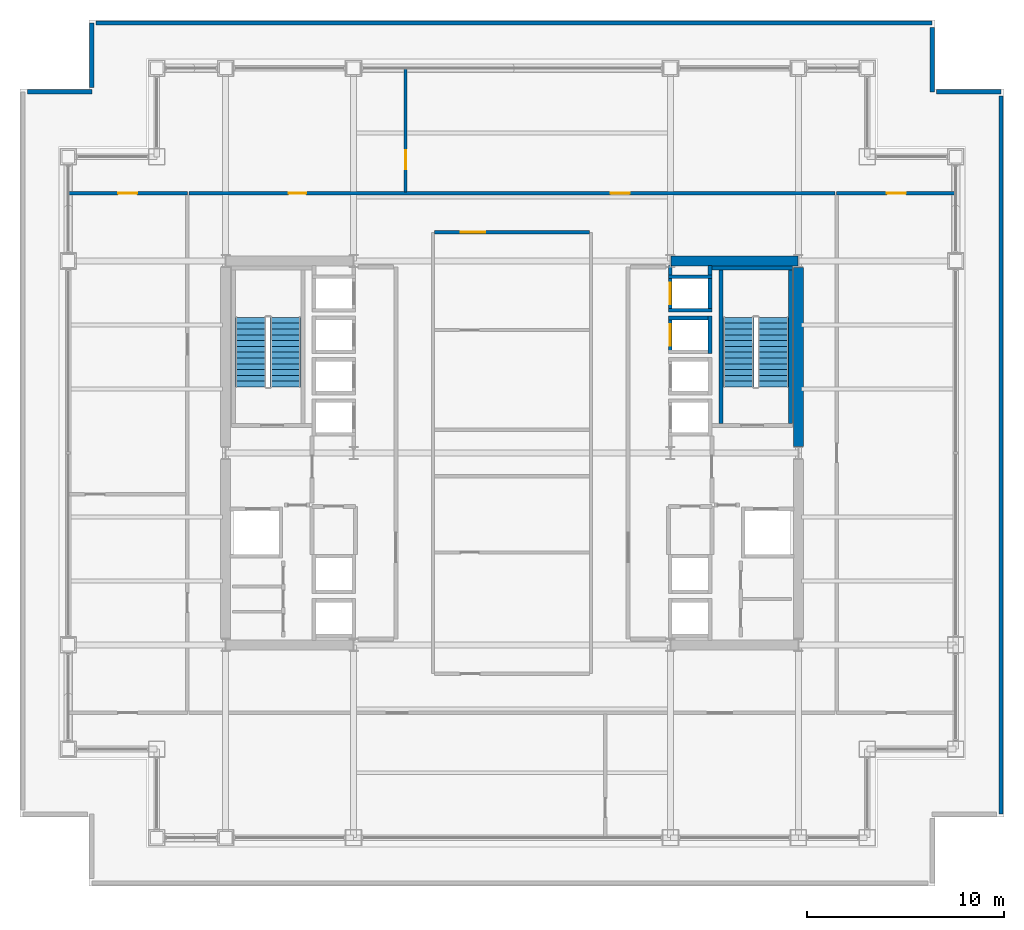
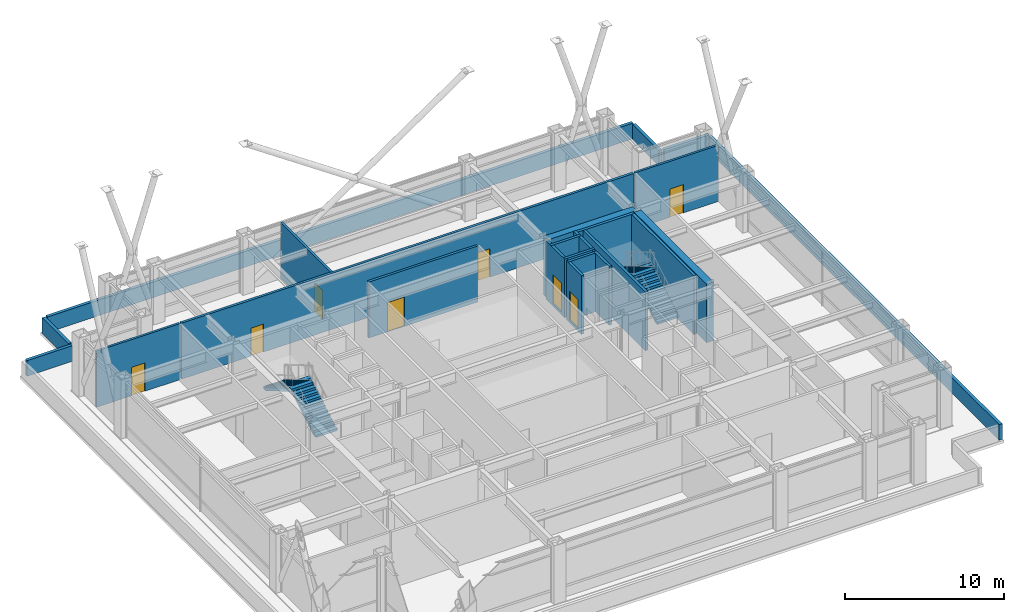
# One storey, part 31 of 32: 23 walls, 8 doors, 4 stair flights, 8 openings, 2 elements without a shape of their own.
"""IFC4 building model written with IfcOpenShell, lengths in metres."""

from ifc_helpers import new_model, si_unit, direction, frame, frame_2d, origin, place, context, subcontext, project, spatial, polyline, rectangle, outline, extrude, material, layer, layer_set, type_object, element, fill, aggregate, save


model = new_model("IFC4")

# Units and contexts
model_context = context("Model", 3, precision=1e-05, world=origin(), true_north=direction((0.0, 1.0)))
body_context = subcontext(model_context, "Body", "Model", "MODEL_VIEW")
ifc_project = project(units=[si_unit("LENGTHUNIT", "METRE"), si_unit("AREAUNIT", "SQUARE_METRE"), si_unit("VOLUMEUNIT", "CUBIC_METRE"), si_unit("PLANEANGLEUNIT", "RADIAN"), si_unit("MASSUNIT", "GRAM", prefix="KILO")], contexts=[model_context])

# Site, building, storey
site_placement = place(None, origin())
site = spatial("IfcSite", under=ifc_project, at=site_placement, CompositionType="ELEMENT")
building_placement = place(site_placement, origin())
building = spatial("IfcBuilding", under=site, at=building_placement, Name="Brelmoor Portico Tower", CompositionType="ELEMENT")
storey_placement = place(building_placement, frame((0.0, 0.0, 87.300048828125)))
storey = spatial("IfcBuildingStorey", under=building, at=storey_placement, Name="L22", CompositionType="ELEMENT", Elevation=87.300048828125)

# Walls
ifc_material_1 = material(Name="Concrete C60", Category="concrete")
ifc_layer_1 = layer(ifc_material_1, 0.5)
ifc_layer_set_1 = layer_set([ifc_layer_1], Name="Concrete C60")
wall_type_1 = type_object("IfcWallType", Name="WL-CORE-500", PredefinedType="SHEAR", material=ifc_layer_set_1)
wall_1_placement = place(storey_placement, frame((8.070068359375, 9.75, -0.199951171875), z_axis=(0.0, 0.0, 1.0), x_axis=(1.0, 0.0, 0.0)))
element("IfcWall", 1, at=wall_1_placement, inside=storey, type_object=wall_type_1, Name="L22 EC North Shear Wall", PredefinedType="SHEAR", context=body_context, shape_type="SweptSolid", body=[
    extrude(rectangle(XDim=6.4599609375, YDim=0.5, at=frame_2d((3.22998046875, 0.0))), origin(), (0.0, 0.0, 1.0), 4.5),
])
wall_2_placement = place(storey_placement, frame((14.550048828125, 0.324951171875, -0.199951171875), z_axis=(0.0, 0.0, 1.0), x_axis=(0.0, 1.0, 0.0)))
element("IfcWall", 2, at=wall_2_placement, inside=storey, type_object=wall_type_1, Name="L22 EC Outer North Shear Wall", PredefinedType="SHEAR", context=body_context, shape_type="SweptSolid", body=[
    extrude(rectangle(XDim=9.10009765625, YDim=0.5, at=frame_2d((4.550048828125, 0.0))), origin(), (0.0, 0.0, 1.0), 4.5),
])
ifc_material_2 = material(Name="Concrete C40 Parapet Upstand", Category="concrete")
ifc_layer_2 = layer(ifc_material_2, 0.219970703125)
ifc_layer_set_2 = layer_set([ifc_layer_2], Name="Concrete C40 Parapet Upstand")
wall_type_2 = type_object("IfcWallType", Name="WL-PARAPET-220", PredefinedType="PARAPET", material=ifc_layer_set_2)
wall_3_placement = place(storey_placement, frame((24.85009765625, -18.35009765625, 0.0), z_axis=(0.0, 0.0, 1.0), x_axis=(0.0, 1.0, 0.0)))
element("IfcWall", 3, at=wall_3_placement, inside=storey, type_object=wall_type_2, Name="L22 Roof Parapet Wall 04", PredefinedType="PARAPET", context=body_context, shape_type="SweptSolid", body=[
    extrude(rectangle(XDim=36.47998046875, YDim=0.219970703125, at=frame_2d((18.239990234375, 0.0))), origin(), (0.0, 0.0, 1.0), 1.199951171875),
])
wall_4_placement = place(storey_placement, frame((24.85009765625, 18.35009765625, 0.0), z_axis=(0.0, 0.0, 1.0), x_axis=(-1.0, 0.0, 0.0)))
element("IfcWall", 4, at=wall_4_placement, inside=storey, type_object=wall_type_2, Name="L22 Roof Parapet Wall 05", PredefinedType="PARAPET", context=body_context, shape_type="SweptSolid", body=[
    extrude(rectangle(XDim=3.280029296875, YDim=0.219970703125, at=frame_2d((1.64013671875, 0.0))), origin(), (0.0, 0.0, 1.0), 1.199951171875),
])
wall_5_placement = place(storey_placement, frame((21.35009765625, 18.35009765625, 0.0), z_axis=(0.0, 0.0, 1.0), x_axis=(0.0, 1.0, 0.0)))
element("IfcWall", 5, at=wall_5_placement, inside=storey, type_object=wall_type_2, Name="L22 Roof Parapet Wall 06", PredefinedType="PARAPET", context=body_context, shape_type="SweptSolid", body=[
    extrude(rectangle(XDim=3.27978515625, YDim=0.219970703125, at=frame_2d((1.639892578125, 0.0))), origin(), (0.0, 0.0, 1.0), 1.199951171875),
])
wall_6_placement = place(storey_placement, frame((21.35009765625, 21.85009765625, 0.0), z_axis=(0.0, 0.0, 1.0), x_axis=(-1.0, 0.0, 0.0)))
element("IfcWall", 6, at=wall_6_placement, inside=storey, type_object=wall_type_2, Name="L22 Roof Parapet Wall 07", PredefinedType="PARAPET", context=body_context, shape_type="SweptSolid", body=[
    extrude(rectangle(XDim=42.47998046875, YDim=0.219970703125, at=frame_2d((21.239990234375, 0.0))), origin(), (0.0, 0.0, 1.0), 1.199951171875),
])
wall_7_placement = place(storey_placement, frame((-21.35009765625, 21.85009765625, 0.0), z_axis=(0.0, 0.0, 1.0), x_axis=(0.0, -1.0, 0.0)))
element("IfcWall", 7, at=wall_7_placement, inside=storey, type_object=wall_type_2, Name="L22 Roof Parapet Wall 08", PredefinedType="PARAPET", context=body_context, shape_type="SweptSolid", body=[
    extrude(rectangle(XDim=3.280029296875, YDim=0.219970703125, at=frame_2d((1.64013671875, 0.0))), origin(), (0.0, 0.0, 1.0), 1.199951171875),
])
wall_8_placement = place(storey_placement, frame((-21.35009765625, 18.35009765625, 0.0), z_axis=(0.0, 0.0, 1.0), x_axis=(-1.0, 0.0, 0.0)))
element("IfcWall", 8, at=wall_8_placement, inside=storey, type_object=wall_type_2, Name="L22 Roof Parapet Wall 09", PredefinedType="PARAPET", context=body_context, shape_type="SweptSolid", body=[
    extrude(rectangle(XDim=3.27978515625, YDim=0.219970703125, at=frame_2d((1.639892578125, 0.0))), origin(), (0.0, 0.0, 1.0), 1.199951171875),
])

# Wall, opening, door
ifc_material_3 = material(Name="Twin-Frame Acoustic Partition", Category="gypsum")
ifc_layer_3 = layer(ifc_material_3, 0.159912109375)
ifc_layer_set_3 = layer_set([ifc_layer_3], Name="Twin-Frame Acoustic Partition")
wall_type_3 = type_object("IfcWallType", Name="WL-PART-160", PredefinedType="PARTITIONING", material=ifc_layer_set_3)
wall_9_placement = place(storey_placement, frame((-5.4111328125, 13.260009765625, 0.0), z_axis=(0.0, 0.0, 1.0), x_axis=(0.0, 1.0, 0.0)))
wall_9 = element("IfcWall", 9, at=wall_9_placement, inside=storey, type_object=wall_type_3, Name="L22 North Suite Partition 1", PredefinedType="PARTITIONING", context=body_context, shape_type="SweptSolid", body=[
    extrude(rectangle(XDim=6.300048828125, YDim=0.159912109375, at=frame_2d((3.14990234375, 0.0))), origin(), (0.0, 0.0, 1.0), 4.300048828125),
])
opening_1_placement = place(wall_9_placement, frame((1.14990234375, 0.0, 0.0)))
opening_1 = element("IfcOpeningElement", 10, at=opening_1_placement, cuts=wall_9, Name="Opening D-IN2", PredefinedType="OPENING", context=body_context, shape_type="SweptSolid", body=[
    extrude(rectangle(XDim=0.9599609375, YDim=2.179931640625, at=frame_2d((0.47998046875, 1.08984375))), frame((0.0, 0.08984375, 0.0), z_axis=(0.0, -1.0, 0.0), x_axis=(1.0, 0.0, 0.0)), (0.0, 0.0, 1.0), 0.179931640625),
])
ifc_material_4 = material(Name="Lacquered Timber Suite Door", Category="wood")
door_type_1 = type_object("IfcDoorType", Name="DR-INT-950", OperationType="NOTDEFINED", PredefinedType="DOOR", material=ifc_material_4)
door_1_placement = place(opening_1_placement, origin())
door_1 = element("IfcDoor", 11, at=door_1_placement, inside=storey, type_object=door_type_1, Name="D-0992 L22 North Suite Connecting Door 1", OperationType="SINGLE_SWING_RIGHT", OverallHeight=2.179931640625, OverallWidth=0.9599609375, PredefinedType="DOOR", context=body_context, shape_type="SweptSolid", body=[
    extrude(rectangle(XDim=0.9599609375, YDim=2.179931640625, at=frame_2d((0.47998046875, 1.08984375))), frame((0.0, 0.02490234375, 0.0), z_axis=(0.0, -1.0, 0.0), x_axis=(1.0, 0.0, 0.0)), (0.0, 0.0, 1.0), 0.050048828125),
])
fill(opening_1, door_1)

wall_10_placement = place(storey_placement, frame((-22.56005859375, 13.199951171875, 0.0), z_axis=(0.0, 0.0, 1.0), x_axis=(1.0, 0.0, 0.0)))
wall_10 = element("IfcWall", 12, at=wall_10_placement, inside=storey, type_object=wall_type_3, Name="L22 North Outer Closure WL", PredefinedType="PARTITIONING", context=body_context, shape_type="SweptSolid", body=[
    extrude(rectangle(XDim=6.06005859375, YDim=0.159912109375, at=frame_2d((3.030029296875, 0.0))), origin(), (0.0, 0.0, 1.0), 4.300048828125),
])
opening_2_placement = place(wall_10_placement, frame((2.550048828125, 0.0, 0.0)))
opening_2 = element("IfcOpeningElement", 13, at=opening_2_placement, cuts=wall_10, Name="Opening D-IN2", PredefinedType="OPENING", context=body_context, shape_type="SweptSolid", body=[
    extrude(rectangle(XDim=0.9599609375, YDim=2.179931640625, at=frame_2d((0.47998046875, 1.08984375))), frame((0.0, 0.08984375, 0.0), z_axis=(0.0, -1.0, 0.0), x_axis=(1.0, 0.0, 0.0)), (0.0, 0.0, 1.0), 0.179931640625),
])
door_2_placement = place(opening_2_placement, origin())
door_2 = element("IfcDoor", 14, at=door_2_placement, inside=storey, type_object=door_type_1, Name="D-0994 L22 WL North Corner Suite Door", OperationType="SINGLE_SWING_LEFT", OverallHeight=2.179931640625, OverallWidth=0.9599609375, PredefinedType="DOOR", context=body_context, shape_type="SweptSolid", body=[
    extrude(rectangle(XDim=0.9599609375, YDim=2.179931640625, at=frame_2d((0.47998046875, 1.08984375))), frame((0.0, 0.02490234375, 0.0), z_axis=(0.0, -1.0, 0.0), x_axis=(1.0, 0.0, 0.0)), (0.0, 0.0, 1.0), 0.050048828125),
])
fill(opening_2, door_2)

wall_11_placement = place(storey_placement, frame((16.5, 13.199951171875, 0.0), z_axis=(0.0, 0.0, 1.0), x_axis=(1.0, 0.0, 0.0)))
wall_11 = element("IfcWall", 15, at=wall_11_placement, inside=storey, type_object=wall_type_3, Name="L22 North Outer Closure ER", PredefinedType="PARTITIONING", context=body_context, shape_type="SweptSolid", body=[
    extrude(rectangle(XDim=6.06005859375, YDim=0.159912109375, at=frame_2d((3.030029296875, 0.0))), origin(), (0.0, 0.0, 1.0), 4.300048828125),
])
opening_3_placement = place(wall_11_placement, frame((2.550048828125, 0.0, 0.0)))
opening_3 = element("IfcOpeningElement", 16, at=opening_3_placement, cuts=wall_11, Name="Opening D-IN2", PredefinedType="OPENING", context=body_context, shape_type="SweptSolid", body=[
    extrude(rectangle(XDim=0.9599609375, YDim=2.179931640625, at=frame_2d((0.47998046875, 1.08984375))), frame((0.0, 0.08984375, 0.0), z_axis=(0.0, -1.0, 0.0), x_axis=(1.0, 0.0, 0.0)), (0.0, 0.0, 1.0), 0.179931640625),
])
door_3_placement = place(opening_3_placement, origin())
door_3 = element("IfcDoor", 17, at=door_3_placement, inside=storey, type_object=door_type_1, Name="D-0993 L22 ER North Corner Suite Door", OperationType="SINGLE_SWING_RIGHT", OverallHeight=2.179931640625, OverallWidth=0.9599609375, PredefinedType="DOOR", context=body_context, shape_type="SweptSolid", body=[
    extrude(rectangle(XDim=0.9599609375, YDim=2.179931640625, at=frame_2d((0.47998046875, 1.08984375))), frame((0.0, 0.02490234375, 0.0), z_axis=(0.0, -1.0, 0.0), x_axis=(1.0, 0.0, 0.0)), (0.0, 0.0, 1.0), 0.050048828125),
])
fill(opening_3, door_3)

ifc_material_5 = material(Name="Acoustic Corridor Fire Partition", Category="gypsum")
ifc_layer_4 = layer(ifc_material_5, 0.179931640625)
ifc_layer_set_4 = layer_set([ifc_layer_4], Name="Acoustic Corridor Fire Partition")
wall_type_4 = type_object("IfcWallType", Name="WL-PART-180", PredefinedType="PARTITIONING", material=ifc_layer_set_4)
wall_12_placement = place(storey_placement, frame((-3.949951171875, 11.219970703125, 0.0), z_axis=(0.0, 0.0, 1.0), x_axis=(1.0, 0.0, 0.0)))
wall_12 = element("IfcWall", 18, at=wall_12_placement, inside=storey, type_object=wall_type_4, Name="L22 Central Meeting Corridor Wall", PredefinedType="PARTITIONING", context=body_context, shape_type="SweptSolid", body=[
    extrude(rectangle(XDim=7.89990234375, YDim=0.179931640625, at=frame_2d((3.949951171875, 0.0))), origin(), (0.0, 0.0, 1.0), 4.300048828125),
])
opening_4_placement = place(wall_12_placement, frame((1.35009765625, 0.0, 0.0)))
opening_4 = element("IfcOpeningElement", 19, at=opening_4_placement, cuts=wall_12, Name="Opening D-SU1", PredefinedType="OPENING", context=body_context, shape_type="SweptSolid", body=[
    extrude(rectangle(XDim=1.239990234375, YDim=2.239990234375, at=frame_2d((0.6201171875, 1.1201171875))), frame((0.0, 0.099853515625, 0.0), z_axis=(0.0, -1.0, 0.0), x_axis=(1.0, 0.0, 0.0)), (0.0, 0.0, 1.0), 0.199951171875),
])
ifc_material_6 = material(Name="Glazed Timber Executive Suite Door", Category="wood")
door_type_2 = type_object("IfcDoorType", Name="DR-SUITE-1200", OperationType="NOTDEFINED", PredefinedType="DOOR", material=ifc_material_6)
door_4_placement = place(opening_4_placement, origin())
door_4 = element("IfcDoor", 20, at=door_4_placement, inside=storey, type_object=door_type_2, Name="D-0973 L22 Client Meeting Room Door", OperationType="SINGLE_SWING_RIGHT", OverallHeight=2.239990234375, OverallWidth=1.239990234375, PredefinedType="DOOR", context=body_context, shape_type="SweptSolid", body=[
    extrude(rectangle(XDim=1.239990234375, YDim=2.239990234375, at=frame_2d((0.6201171875, 1.1201171875))), frame((0.0, 0.02490234375, 0.0), z_axis=(0.0, -1.0, 0.0), x_axis=(1.0, 0.0, 0.0)), (0.0, 0.0, 1.0), 0.050048828125),
])
fill(opening_4, door_4)

# Wall, openings, doors
wall_13_placement = place(storey_placement, frame((-16.39990234375, 13.199951171875, 0.0), z_axis=(0.0, 0.0, 1.0), x_axis=(1.0, 0.0, 0.0)))
wall_13 = element("IfcWall", 21, at=wall_13_placement, inside=storey, type_object=wall_type_4, Name="L22 North Corridor Partition", PredefinedType="PARTITIONING", context=body_context, shape_type="SweptSolid", body=[
    extrude(rectangle(XDim=32.7998046875, YDim=0.179931640625, at=frame_2d((16.39990234375, 0.0))), origin(), (0.0, 0.0, 1.0), 4.300048828125),
])
opening_5_placement = place(wall_13_placement, frame((5.04443359375, 0.0, 0.0)))
opening_5 = element("IfcOpeningElement", 22, at=opening_5_placement, cuts=wall_13, Name="Opening D-IN1", PredefinedType="OPENING", context=body_context, shape_type="SweptSolid", body=[
    extrude(rectangle(XDim=0.89990234375, YDim=2.14990234375, at=frame_2d((0.449951171875, 1.074951171875))), frame((0.0, 0.099853515625, 0.0), z_axis=(0.0, -1.0, 0.0), x_axis=(1.0, 0.0, 0.0)), (0.0, 0.0, 1.0), 0.199951171875),
])
opening_6_placement = place(wall_13_placement, frame((21.414306640625, 0.0, 0.0)))
opening_6 = element("IfcOpeningElement", 23, at=opening_6_placement, cuts=wall_13, Name="Opening D-IN2", PredefinedType="OPENING", context=body_context, shape_type="SweptSolid", body=[
    extrude(rectangle(XDim=0.9599609375, YDim=2.179931640625, at=frame_2d((0.47998046875, 1.08984375))), frame((0.0, 0.099853515625, 0.0), z_axis=(0.0, -1.0, 0.0), x_axis=(1.0, 0.0, 0.0)), (0.0, 0.0, 1.0), 0.199951171875),
])
door_type_3 = type_object("IfcDoorType", Name="DR-INT-900", OperationType="NOTDEFINED", PredefinedType="DOOR", material=ifc_material_4)
door_5_placement = place(opening_5_placement, origin())
door_5 = element("IfcDoor", 24, at=door_5_placement, inside=storey, type_object=door_type_3, Name="D-0990 L22 North Sky-Lobby Transfer Lounge 1 Door", OperationType="SINGLE_SWING_LEFT", OverallHeight=2.14990234375, OverallWidth=0.89990234375, PredefinedType="DOOR", context=body_context, shape_type="SweptSolid", body=[
    extrude(rectangle(XDim=0.89990234375, YDim=2.14990234375, at=frame_2d((0.449951171875, 1.074951171875))), frame((0.0, 0.02490234375, 0.0), z_axis=(0.0, -1.0, 0.0), x_axis=(1.0, 0.0, 0.0)), (0.0, 0.0, 1.0), 0.050048828125),
])
fill(opening_5, door_5)
door_6_placement = place(opening_6_placement, origin())
door_6 = element("IfcDoor", 25, at=door_6_placement, inside=storey, type_object=door_type_1, Name="D-0991 L22 North Executive Business Office 2 Door", OperationType="SINGLE_SWING_RIGHT", OverallHeight=2.179931640625, OverallWidth=0.9599609375, PredefinedType="DOOR", context=body_context, shape_type="SweptSolid", body=[
    extrude(rectangle(XDim=0.9599609375, YDim=2.179931640625, at=frame_2d((0.47998046875, 1.08984375))), frame((0.0, 0.02490234375, 0.0), z_axis=(0.0, -1.0, 0.0), x_axis=(1.0, 0.0, 0.0)), (0.0, 0.0, 1.0), 0.050048828125),
])
fill(opening_6, door_6)

# Wall, opening, door
ifc_material_7 = material(Name="Precast Concrete C40", Category="concrete")
ifc_layer_5 = layer(ifc_material_7, 0.18994140625)
ifc_layer_set_5 = layer_set([ifc_layer_5], Name="Precast Concrete C40")
wall_type_5 = type_object("IfcWallType", Name="WL-SHAFT-180", PredefinedType="SOLIDWALL", material=ifc_layer_set_5)
wall_14_placement = place(storey_placement, frame((8.044921875, 5.050048828125, -0.199951171875), z_axis=(0.0, 0.0, 1.0), x_axis=(0.0, 1.0, 0.0)))
wall_14 = element("IfcWall", 26, at=wall_14_placement, inside=storey, type_object=wall_type_5, Name="L22 Lift PM3 Hoistway Front Wall", PredefinedType="SOLIDWALL", context=body_context, shape_type="SweptSolid", body=[
    extrude(rectangle(XDim=1.89990234375, YDim=0.18994140625, at=frame_2d((0.949951171875, 0.0))), origin(), (0.0, 0.0, 1.0), 4.5),
])
opening_7_placement = place(wall_14_placement, frame((0.39990234375, 0.0, 0.199951171875)))
opening_7 = element("IfcOpeningElement", 27, at=opening_7_placement, cuts=wall_14, Name="Opening LD-01", PredefinedType="OPENING", context=body_context, shape_type="SweptSolid", body=[
    extrude(rectangle(XDim=1.10009765625, YDim=2.199951171875, at=frame_2d((0.550048828125, 1.10009765625))), frame((0.0, 0.10498046875, 0.0), z_axis=(0.0, -1.0, 0.0), x_axis=(1.0, 0.0, 0.0)), (0.0, 0.0, 1.0), 0.2099609375),
])
ifc_material_8 = material(Name="Brushed Stainless Steel Sliding Lift Door", Category="steel")
door_type_4 = type_object("IfcDoorType", Name="DR-LIFT-1100", OperationType="NOTDEFINED", PredefinedType="DOOR", material=ifc_material_8)
door_7_placement = place(opening_7_placement, origin())
door_7 = element("IfcDoor", 28, at=door_7_placement, inside=storey, type_object=door_type_4, Name="D-1014 L22 Lift PM3 Sliding Landing Door", OperationType="SLIDING_TO_LEFT", OverallHeight=2.199951171875, OverallWidth=1.10009765625, PredefinedType="DOOR", context=body_context, shape_type="SweptSolid", body=[
    extrude(rectangle(XDim=1.10009765625, YDim=2.199951171875, at=frame_2d((0.550048828125, 1.10009765625))), frame((0.0, 0.02490234375, 0.0), z_axis=(0.0, -1.0, 0.0), x_axis=(1.0, 0.0, 0.0)), (0.0, 0.0, 1.0), 0.050048828125),
])
fill(opening_7, door_7)

# Walls
wall_15_placement = place(storey_placement, frame((10.054931640625, 5.050048828125, -0.199951171875), z_axis=(0.0, 0.0, 1.0), x_axis=(0.0, 1.0, 0.0)))
element("IfcWall", 29, at=wall_15_placement, inside=storey, type_object=wall_type_5, Name="L22 Lift PM3 Hoistway Back Wall", PredefinedType="SOLIDWALL", context=body_context, shape_type="SweptSolid", body=[
    extrude(rectangle(XDim=1.89990234375, YDim=0.18994140625, at=frame_2d((0.949951171875, 0.0))), origin(), (0.0, 0.0, 1.0), 4.5),
])
wall_16_placement = place(storey_placement, frame((7.949951171875, 6.85498046875, -0.199951171875), z_axis=(0.0, 0.0, 1.0), x_axis=(1.0, 0.0, 0.0)))
element("IfcWall", 30, at=wall_16_placement, inside=storey, type_object=wall_type_5, Name="L22 Lift PM3 Hoistway North Wall", PredefinedType="SOLIDWALL", context=body_context, shape_type="SweptSolid", body=[
    extrude(rectangle(XDim=2.199951171875, YDim=0.18994140625, at=frame_2d((1.10009765625, 0.0))), origin(), (0.0, 0.0, 1.0), 4.5),
])

# Wall, opening, door
wall_17_placement = place(storey_placement, frame((8.044921875, 7.14990234375, -0.199951171875), z_axis=(0.0, 0.0, 1.0), x_axis=(0.0, 1.0, 0.0)))
wall_17 = element("IfcWall", 31, at=wall_17_placement, inside=storey, type_object=wall_type_5, Name="L22 Lift PM4 Hoistway Front Wall", PredefinedType="SOLIDWALL", context=body_context, shape_type="SweptSolid", body=[
    extrude(rectangle(XDim=2.3701171875, YDim=0.18994140625, at=frame_2d((1.18505859375, 0.0))), origin(), (0.0, 0.0, 1.0), 4.5),
])
opening_8_placement = place(wall_17_placement, frame((0.39990234375, 0.0, 0.199951171875)))
opening_8 = element("IfcOpeningElement", 32, at=opening_8_placement, cuts=wall_17, Name="Opening LD-01", PredefinedType="OPENING", context=body_context, shape_type="SweptSolid", body=[
    extrude(rectangle(XDim=1.10009765625, YDim=2.199951171875, at=frame_2d((0.550048828125, 1.10009765625))), frame((0.0, 0.10498046875, 0.0), z_axis=(0.0, -1.0, 0.0), x_axis=(1.0, 0.0, 0.0)), (0.0, 0.0, 1.0), 0.2099609375),
])
door_8_placement = place(opening_8_placement, origin())
door_8 = element("IfcDoor", 33, at=door_8_placement, inside=storey, type_object=door_type_4, Name="D-1015 L22 Lift PM4 Sliding Landing Door", OperationType="SLIDING_TO_LEFT", OverallHeight=2.199951171875, OverallWidth=1.10009765625, PredefinedType="DOOR", context=body_context, shape_type="SweptSolid", body=[
    extrude(rectangle(XDim=1.10009765625, YDim=2.199951171875, at=frame_2d((0.550048828125, 1.10009765625))), frame((0.0, 0.02490234375, 0.0), z_axis=(0.0, -1.0, 0.0), x_axis=(1.0, 0.0, 0.0)), (0.0, 0.0, 1.0), 0.050048828125),
])
fill(opening_8, door_8)

# Walls
wall_18_placement = place(storey_placement, frame((10.054931640625, 7.14990234375, -0.199951171875), z_axis=(0.0, 0.0, 1.0), x_axis=(0.0, 1.0, 0.0)))
element("IfcWall", 34, at=wall_18_placement, inside=storey, type_object=wall_type_5, Name="L22 Lift PM4 Hoistway Back Wall", PredefinedType="SOLIDWALL", context=body_context, shape_type="SweptSolid", body=[
    extrude(rectangle(XDim=2.3701171875, YDim=0.18994140625, at=frame_2d((1.18505859375, 0.0))), origin(), (0.0, 0.0, 1.0), 4.5),
])
for number, where, z_axis, x_axis, name in (
    (35, (7.949951171875, 8.955078125, -0.199951171875), (0.0, 0.0, 1.0), (1.0, 0.0, 0.0), "L22 Lift PM4 Hoistway North Wall"),
    (36, (7.949951171875, 7.2451171875, -0.199951171875), (0.0, 0.0, 1.0), (1.0, 0.0, 0.0), "L22 Lift PM4 Hoistway South Wall"),
):
    element("IfcWall", number, at=place(storey_placement, frame(where, z_axis=z_axis, x_axis=x_axis)), inside=storey, type_object=wall_type_5, Name=name, PredefinedType="SOLIDWALL", context=body_context, shape_type="SweptSolid", body=[
        extrude(rectangle(XDim=2.199951171875, YDim=0.18994140625, at=frame_2d((1.10009765625, 0.0))), origin(), (0.0, 0.0, 1.0), 4.5),
    ])
ifc_material_9 = material(Name="Concrete C40", Category="concrete")
ifc_layer_6 = layer(ifc_material_9, 0.199951171875)
ifc_layer_set_6 = layer_set([ifc_layer_6], Name="Concrete C40")
wall_type_6 = type_object("IfcWallType", Name="WL-SHAFT-RC200", PredefinedType="SOLIDWALL", material=ifc_layer_set_6)
wall_19_placement = place(storey_placement, frame((14.14990234375, 1.5, -0.199951171875), z_axis=(0.0, 0.0, 1.0), x_axis=(0.0, 1.0, 0.0)))
element("IfcWall", 37, at=wall_19_placement, inside=storey, type_object=wall_type_6, Name="L22 ST-E Structural Stair Wall Outer", PredefinedType="SOLIDWALL", context=body_context, shape_type="SweptSolid", body=[
    extrude(rectangle(XDim=7.800048828125, YDim=0.199951171875, at=frame_2d((3.89990234375, 0.0))), origin(), (0.0, 0.0, 1.0), 4.5),
])
wall_20_placement = place(storey_placement, frame((10.14990234375, 9.39990234375, -0.199951171875), z_axis=(0.0, 0.0, 1.0), x_axis=(1.0, 0.0, 0.0)))
element("IfcWall", 38, at=wall_20_placement, inside=storey, type_object=wall_type_6, Name="L22 ST-E Structural Stair Wall N", PredefinedType="SOLIDWALL", context=body_context, shape_type="SweptSolid", body=[
    extrude(rectangle(XDim=4.10009765625, YDim=0.199951171875, at=frame_2d((2.050048828125, 0.0))), origin(), (0.0, 0.0, 1.0), 4.5),
])
wall_21_placement = place(storey_placement, frame((10.6298828125, 1.5, -0.199951171875), z_axis=(0.0, 0.0, 1.0), x_axis=(0.0, 1.0, 0.0)))
element("IfcWall", 39, at=wall_21_placement, inside=storey, type_object=wall_type_6, Name="L22 ST-E Structural Stair Wall Inner", PredefinedType="SOLIDWALL", context=body_context, shape_type="SweptSolid", body=[
    extrude(rectangle(XDim=7.800048828125, YDim=0.199951171875, at=frame_2d((3.89990234375, 0.0))), origin(), (0.0, 0.0, 1.0), 4.5),
])

# Stair, stair flights
stair_type_1 = type_object("IfcStairType", Name="ST-CORE-W", PredefinedType="HALF_TURN_STAIR", material=ifc_material_9)
stair_1_placement = place(storey_placement, origin())
stair_1 = element("IfcStair", 40, at=stair_1_placement, inside=storey, type_object=stair_type_1, Name="L22 Protected Core Exit Stair ST-W", PredefinedType="HALF_TURN_STAIR")
stair_flight_type = type_object("IfcStairFlightType", Name="SF-CORE-1850", PredefinedType="STRAIGHT", material=ifc_material_9)
stair_flight_1_placement = place(storey_placement, frame((-11.510009765625, 3.35009765625, 0.0), z_axis=(0.0, 0.0, 1.0), x_axis=(0.0, 1.0, 0.0)))
stair_flight_1 = element("IfcStairFlight", 41, at=stair_flight_1_placement, type_object=stair_flight_type, Name="ST-W flight 1", NumberOfRisers=13, NumberOfTreads=12, PredefinedType="STRAIGHT", RiserHeight=0.173076923, TreadLength=0.295, context=body_context, shape_type="SweptSolid", body=[
    extrude(outline(polyline([(0.0, 0.0), (0.0, 0.173095703125), (0.294921875, 0.173095703125), (0.294921875, 0.34619140625), (0.590087890625, 0.34619140625), (0.590087890625, 0.519287109375), (0.885009765625, 0.519287109375), (0.885009765625, 0.6923828125), (1.179931640625, 0.6923828125), (1.179931640625, 0.865478515625), (1.47509765625, 0.865478515625), (1.47509765625, 1.03857421875), (1.77001953125, 1.03857421875), (1.77001953125, 1.21142578125), (2.06494140625, 1.21142578125), (2.06494140625, 1.384521484375), (2.360107421875, 1.384521484375), (2.360107421875, 1.5576171875), (2.655029296875, 1.5576171875), (2.655029296875, 1.730712890625), (2.949951171875, 1.730712890625), (2.949951171875, 1.90380859375), (3.2451171875, 1.90380859375), (3.2451171875, 2.076904296875), (3.5400390625, 2.076904296875), (3.5400390625, 2.25), (3.5400390625, 1.903076171875), (0.296142578125, 0.0), (0.0, 0.0)])), frame((0.0, 0.780029296875, 0.0), z_axis=(0.0, -1.0, 0.0), x_axis=(1.0, 0.0, 0.0)), (0.0, 0.0, 1.0), 1.56005859375),
])
stair_flight_2_placement = place(storey_placement, frame((-13.27001953125, 6.889892578125, 2.25), z_axis=(0.0, 0.0, 1.0), x_axis=(0.0, -1.0, 0.0)))
stair_flight_2 = element("IfcStairFlight", 42, at=stair_flight_2_placement, type_object=stair_flight_type, Name="ST-W flight 2", NumberOfRisers=13, NumberOfTreads=12, PredefinedType="STRAIGHT", RiserHeight=0.173076923, TreadLength=0.295, context=body_context, shape_type="SweptSolid", body=[
    extrude(outline(polyline([(0.0, 0.0), (0.0, 0.173095703125), (0.294921875, 0.173095703125), (0.294921875, 0.34619140625), (0.590087890625, 0.34619140625), (0.590087890625, 0.519287109375), (0.885009765625, 0.519287109375), (0.885009765625, 0.6923828125), (1.179931640625, 0.6923828125), (1.179931640625, 0.865478515625), (1.47509765625, 0.865478515625), (1.47509765625, 1.03857421875), (1.77001953125, 1.03857421875), (1.77001953125, 1.21142578125), (2.06494140625, 1.21142578125), (2.06494140625, 1.384521484375), (2.360107421875, 1.384521484375), (2.360107421875, 1.5576171875), (2.655029296875, 1.5576171875), (2.655029296875, 1.730712890625), (2.949951171875, 1.730712890625), (2.949951171875, 1.90380859375), (3.2451171875, 1.90380859375), (3.2451171875, 2.076904296875), (3.5400390625, 2.076904296875), (3.5400390625, 2.25), (3.5400390625, 1.903076171875), (0.296142578125, 0.0), (0.0, 0.0)])), frame((0.0, 0.780029296875, 0.0), z_axis=(0.0, -1.0, 0.0), x_axis=(1.0, 0.0, 0.0)), (0.0, 0.0, 1.0), 1.56005859375),
])
aggregate(stair_1, [stair_flight_1, stair_flight_2])

stair_type_2 = type_object("IfcStairType", Name="ST-CORE-E", PredefinedType="HALF_TURN_STAIR", material=ifc_material_9)
stair_2_placement = place(storey_placement, origin())
stair_2 = element("IfcStair", 43, at=stair_2_placement, inside=storey, type_object=stair_type_2, Name="L22 Protected Core Exit Stair ST-E", PredefinedType="HALF_TURN_STAIR")
stair_flight_3_placement = place(storey_placement, frame((13.27001953125, 3.35009765625, 0.0), z_axis=(0.0, 0.0, 1.0), x_axis=(0.0, 1.0, 0.0)))
stair_flight_3 = element("IfcStairFlight", 44, at=stair_flight_3_placement, type_object=stair_flight_type, Name="ST-E flight 1", NumberOfRisers=13, NumberOfTreads=12, PredefinedType="STRAIGHT", RiserHeight=0.173076923, TreadLength=0.295, context=body_context, shape_type="SweptSolid", body=[
    extrude(outline(polyline([(0.0, 0.0), (0.0, 0.173095703125), (0.294921875, 0.173095703125), (0.294921875, 0.34619140625), (0.590087890625, 0.34619140625), (0.590087890625, 0.519287109375), (0.885009765625, 0.519287109375), (0.885009765625, 0.6923828125), (1.179931640625, 0.6923828125), (1.179931640625, 0.865478515625), (1.47509765625, 0.865478515625), (1.47509765625, 1.03857421875), (1.77001953125, 1.03857421875), (1.77001953125, 1.21142578125), (2.06494140625, 1.21142578125), (2.06494140625, 1.384521484375), (2.360107421875, 1.384521484375), (2.360107421875, 1.5576171875), (2.655029296875, 1.5576171875), (2.655029296875, 1.730712890625), (2.949951171875, 1.730712890625), (2.949951171875, 1.90380859375), (3.2451171875, 1.90380859375), (3.2451171875, 2.076904296875), (3.5400390625, 2.076904296875), (3.5400390625, 2.25), (3.5400390625, 1.903076171875), (0.296142578125, 0.0), (0.0, 0.0)])), frame((0.0, 0.780029296875, 0.0), z_axis=(0.0, -1.0, 0.0), x_axis=(1.0, 0.0, 0.0)), (0.0, 0.0, 1.0), 1.56005859375),
])
stair_flight_4_placement = place(storey_placement, frame((11.510009765625, 6.889892578125, 2.25), z_axis=(0.0, 0.0, 1.0), x_axis=(0.0, -1.0, 0.0)))
stair_flight_4 = element("IfcStairFlight", 45, at=stair_flight_4_placement, type_object=stair_flight_type, Name="ST-E flight 2", NumberOfRisers=13, NumberOfTreads=12, PredefinedType="STRAIGHT", RiserHeight=0.173076923, TreadLength=0.295, context=body_context, shape_type="SweptSolid", body=[
    extrude(outline(polyline([(0.0, 0.0), (0.0, 0.173095703125), (0.294921875, 0.173095703125), (0.294921875, 0.34619140625), (0.590087890625, 0.34619140625), (0.590087890625, 0.519287109375), (0.885009765625, 0.519287109375), (0.885009765625, 0.6923828125), (1.179931640625, 0.6923828125), (1.179931640625, 0.865478515625), (1.47509765625, 0.865478515625), (1.47509765625, 1.03857421875), (1.77001953125, 1.03857421875), (1.77001953125, 1.21142578125), (2.06494140625, 1.21142578125), (2.06494140625, 1.384521484375), (2.360107421875, 1.384521484375), (2.360107421875, 1.5576171875), (2.655029296875, 1.5576171875), (2.655029296875, 1.730712890625), (2.949951171875, 1.730712890625), (2.949951171875, 1.90380859375), (3.2451171875, 1.90380859375), (3.2451171875, 2.076904296875), (3.5400390625, 2.076904296875), (3.5400390625, 2.25), (3.5400390625, 1.903076171875), (0.296142578125, 0.0), (0.0, 0.0)])), frame((0.0, 0.780029296875, 0.0), z_axis=(0.0, -1.0, 0.0), x_axis=(1.0, 0.0, 0.0)), (0.0, 0.0, 1.0), 1.56005859375),
])
aggregate(stair_2, [stair_flight_3, stair_flight_4])

save(model, "model.ifc")
